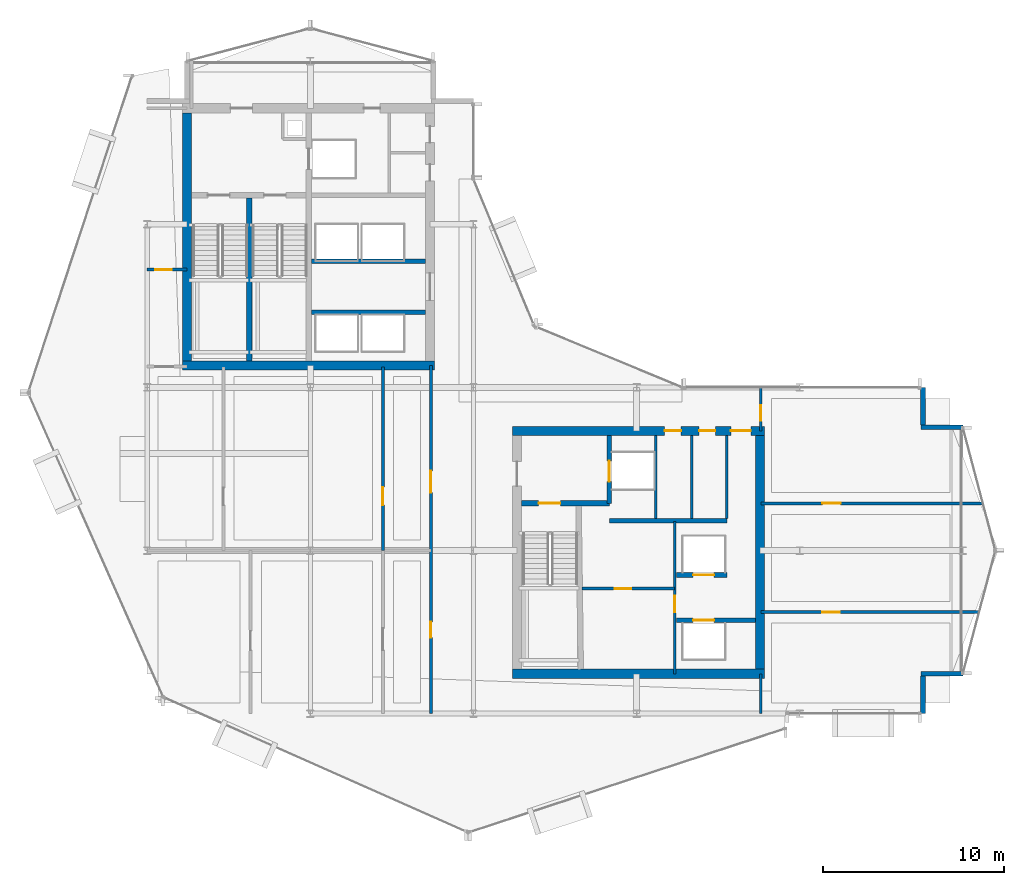
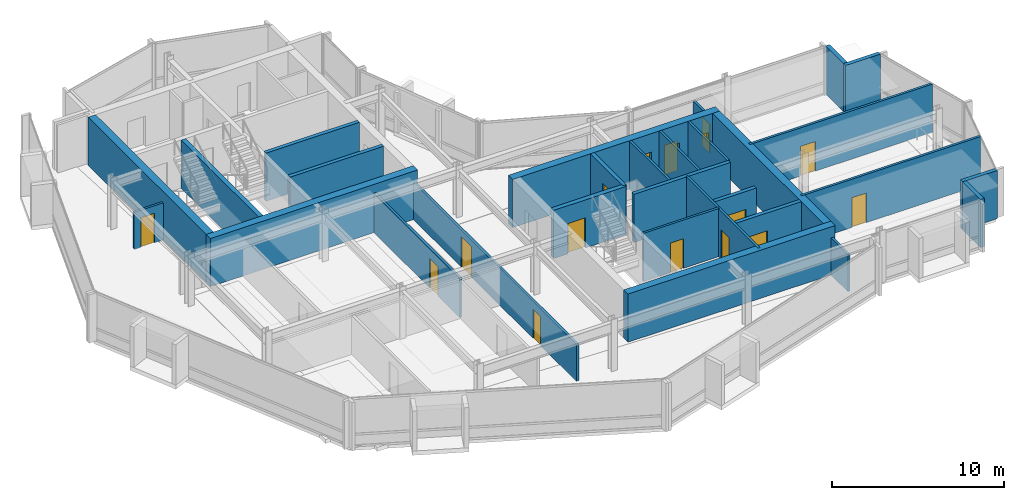
# One storey, part 20 of 27: 29 walls, 16 doors, 16 openings.
"""IFC4 building model written with IfcOpenShell, lengths in metres."""

from ifc_helpers import new_model, si_unit, direction, frame, frame_2d, origin, place, context, subcontext, project, spatial, rectangle, extrude, material, layer, layer_set, type_object, element, fill, save


model = new_model("IFC4")

# Units and contexts
model_context = context("Model", 3, precision=1e-05, world=origin(), true_north=direction((0.0, 1.0)))
body_context = subcontext(model_context, "Body", "Model", "MODEL_VIEW")
ifc_project = project(units=[si_unit("LENGTHUNIT", "METRE"), si_unit("AREAUNIT", "SQUARE_METRE"), si_unit("VOLUMEUNIT", "CUBIC_METRE"), si_unit("PLANEANGLEUNIT", "RADIAN"), si_unit("MASSUNIT", "GRAM", prefix="KILO")], contexts=[model_context])

# Site, building, storey
site_placement = place(None, origin())
site = spatial("IfcSite", under=ifc_project, at=site_placement, CompositionType="ELEMENT")
building_placement = place(site_placement, origin())
building = spatial("IfcBuilding", under=site, at=building_placement, Name="Solvaryn Broadcast Tower", CompositionType="ELEMENT")
storey_placement = place(building_placement, frame((0.0, 0.0, 189.0)))
storey = spatial("IfcBuildingStorey", under=building, at=storey_placement, Name="L47", CompositionType="ELEMENT", Elevation=189.0)

# Walls
ifc_material_1 = material(Name="Concrete f'c 70 MPa", Category="concrete")
ifc_layer_1 = layer(ifc_material_1, 0.5)
ifc_layer_set_1 = layer_set([ifc_layer_1], Name="CW-SHEAR-500")
wall_type_1 = type_object("IfcWallType", Name="CW-SHEAR-500", PredefinedType="SHEAR", material=ifc_layer_set_1)
wall_1_placement = place(storey_placement, frame((10.949951171875, 28.199951171875, 0.0), z_axis=(0.0, 0.0, 1.0), x_axis=(1.0, 0.0, 0.0)))
element("IfcWall", 1, at=wall_1_placement, inside=storey, type_object=wall_type_1, Name="L47 West Core South Shear Wall", PredefinedType="SHEAR", context=body_context, shape_type="SweptSolid", body=[
    extrude(rectangle(XDim=13.900146484375, YDim=0.5, at=frame_2d((6.9501953125, 0.0))), origin(), (0.0, 0.0, 1.0), 3.419921875),
])
wall_2_placement = place(storey_placement, frame((11.199951171875, 42.14990234375, 0.0), z_axis=(0.0, 0.0, 1.0), x_axis=(0.0, -1.0, 0.0)))
element("IfcWall", 2, at=wall_2_placement, inside=storey, type_object=wall_type_1, Name="L47 West Core West Shear Wall", PredefinedType="SHEAR", context=body_context, shape_type="SweptSolid", body=[
    extrude(rectangle(XDim=13.699951171875, YDim=0.5, at=frame_2d((6.85009765625, 0.0))), origin(), (0.0, 0.0, 1.0), 3.419921875),
])
wall_3_placement = place(storey_placement, frame((29.14990234375, 11.199951171875, 0.0), z_axis=(0.0, 0.0, 1.0), x_axis=(1.0, 0.0, 0.0)))
element("IfcWall", 3, at=wall_3_placement, inside=storey, type_object=wall_type_1, Name="L47 East Core South Shear Wall", PredefinedType="SHEAR", context=body_context, shape_type="SweptSolid", body=[
    extrude(rectangle(XDim=13.900146484375, YDim=0.5, at=frame_2d((6.9501953125, 0.0))), origin(), (0.0, 0.0, 1.0), 3.419921875),
])

# Wall, openings, doors
wall_4_placement = place(storey_placement, frame((43.050048828125, 24.60009765625, 0.0), z_axis=(0.0, 0.0, 1.0), x_axis=(-1.0, 0.0, 0.0)))
wall_4 = element("IfcWall", 4, at=wall_4_placement, inside=storey, type_object=wall_type_1, Name="L47 East Core North Shear Wall", PredefinedType="SHEAR", context=body_context, shape_type="SweptSolid", body=[
    extrude(rectangle(XDim=13.900146484375, YDim=0.5, at=frame_2d((6.9501953125, 0.0))), origin(), (0.0, 0.0, 1.0), 3.419921875),
])
opening_1_placement = place(wall_4_placement, frame((0.75, 0.0, 0.0)))
opening_1 = element("IfcOpeningElement", 5, at=opening_1_placement, cuts=wall_4, Name="Opening FD90C", PredefinedType="OPENING", context=body_context, shape_type="SweptSolid", body=[
    extrude(rectangle(XDim=1.10009765625, YDim=2.14990234375, at=frame_2d((0.550048828125, 1.074951171875))), frame((0.0, 0.260009765625, 0.0), z_axis=(0.0, -1.0, 0.0), x_axis=(1.0, 0.0, 0.0)), (0.0, 0.0, 1.0), 0.52001953125),
])
opening_2_placement = place(wall_4_placement, frame((2.699951171875, 0.0, 0.0)))
opening_2 = element("IfcOpeningElement", 6, at=opening_2_placement, cuts=wall_4, Name="Opening FD60C", PredefinedType="OPENING", context=body_context, shape_type="SweptSolid", body=[
    extrude(rectangle(XDim=0.89990234375, YDim=2.10009765625, at=frame_2d((0.449951171875, 1.050048828125))), frame((0.0, 0.260009765625, 0.0), z_axis=(0.0, -1.0, 0.0), x_axis=(1.0, 0.0, 0.0)), (0.0, 0.0, 1.0), 0.52001953125),
])
opening_3_placement = place(wall_4_placement, frame((4.60009765625, 0.0, 0.0)))
opening_3 = element("IfcOpeningElement", 7, at=opening_3_placement, cuts=wall_4, Name="Opening FD60C", PredefinedType="OPENING", context=body_context, shape_type="SweptSolid", body=[
    extrude(rectangle(XDim=0.89990234375, YDim=2.10009765625, at=frame_2d((0.449951171875, 1.050048828125))), frame((0.0, 0.260009765625, 0.0), z_axis=(0.0, -1.0, 0.0), x_axis=(1.0, 0.0, 0.0)), (0.0, 0.0, 1.0), 0.52001953125),
])
ifc_material_2 = material(Name="Flush Acoustic Steel and Timber Door Assembly", Category="steel")
door_type_1 = type_object("IfcDoorType", Name="FD60-SERV-900X2100", OperationType="NOTDEFINED", PredefinedType="DOOR", material=ifc_material_2)
door_1_placement = place(opening_2_placement, origin())
door_1 = element("IfcDoor", 8, at=door_1_placement, inside=storey, type_object=door_type_1, Name="L47 Staff Restroom Door", OperationType="SINGLE_SWING_LEFT", OverallHeight=2.10009765625, OverallWidth=0.89990234375, PredefinedType="DOOR", context=body_context, shape_type="SweptSolid", body=[
    extrude(rectangle(XDim=0.89990234375, YDim=2.10009765625, at=frame_2d((0.449951171875, 1.050048828125))), frame((0.0, 0.02490234375, 0.0), z_axis=(0.0, -1.0, 0.0), x_axis=(1.0, 0.0, 0.0)), (0.0, 0.0, 1.0), 0.050048828125),
])
fill(opening_2, door_1)
door_2_placement = place(opening_3_placement, origin())
door_2 = element("IfcDoor", 9, at=door_2_placement, inside=storey, type_object=door_type_1, Name="L47 Accessible WC Door", OperationType="SINGLE_SWING_RIGHT", OverallHeight=2.10009765625, OverallWidth=0.89990234375, PredefinedType="DOOR", context=body_context, shape_type="SweptSolid", body=[
    extrude(rectangle(XDim=0.89990234375, YDim=2.10009765625, at=frame_2d((0.449951171875, 1.050048828125))), frame((0.0, 0.02490234375, 0.0), z_axis=(0.0, -1.0, 0.0), x_axis=(1.0, 0.0, 0.0)), (0.0, 0.0, 1.0), 0.050048828125),
])
fill(opening_3, door_2)
ifc_material_3 = material(Name="Flush Acoustic Steel and Timber Door Assembly", Category="steel")
door_type_2 = type_object("IfcDoorType", Name="FD90-PLANT-1100X2150", OperationType="NOTDEFINED", PredefinedType="DOOR", material=ifc_material_3)
door_3_placement = place(opening_1_placement, origin())
door_3 = element("IfcDoor", 10, at=door_3_placement, inside=storey, type_object=door_type_2, Name="L47 East Core Lobby Corridor Door", OperationType="SINGLE_SWING_LEFT", OverallHeight=2.14990234375, OverallWidth=1.10009765625, PredefinedType="DOOR", context=body_context, shape_type="SweptSolid", body=[
    extrude(rectangle(XDim=1.10009765625, YDim=2.14990234375, at=frame_2d((0.550048828125, 1.074951171875))), frame((0.0, 0.02490234375, 0.0), z_axis=(0.0, -1.0, 0.0), x_axis=(1.0, 0.0, 0.0)), (0.0, 0.0, 1.0), 0.050048828125),
])
fill(opening_1, door_3)

# Walls
wall_5_placement = place(storey_placement, frame((42.800048828125, 11.449951171875, 0.0), z_axis=(0.0, 0.0, 1.0), x_axis=(0.0, 1.0, 0.0)))
element("IfcWall", 11, at=wall_5_placement, inside=storey, type_object=wall_type_1, Name="L47 East Core East Shear Wall", PredefinedType="SHEAR", context=body_context, shape_type="SweptSolid", body=[
    extrude(rectangle(XDim=12.900146484375, YDim=0.5, at=frame_2d((6.4501953125, 0.0))), origin(), (0.0, 0.0, 1.0), 3.419921875),
])
ifc_material_4 = material(Name="Concrete f'c 50 MPa", Category="concrete")
ifc_layer_2 = layer(ifc_material_4, 0.260009765625)
ifc_layer_set_2 = layer_set([ifc_layer_2], Name="EW-PIER-260")
wall_type_2 = type_object("IfcWallType", Name="EW-PIER-260", PredefinedType="SOLIDWALL", material=ifc_layer_set_2)
wall_6_placement = place(storey_placement, frame((51.800048828125, 9.0, 0.0), z_axis=(0.0, 0.0, 1.0), x_axis=(0.0, 1.0, 0.0)))
element("IfcWall", 12, at=wall_6_placement, inside=storey, type_object=wall_type_2, Name="L47 Notched Corner Pier Wall NSE1", PredefinedType="SOLIDWALL", context=body_context, shape_type="SweptSolid", body=[
    extrude(rectangle(XDim=2.080078125, YDim=0.260009765625, at=frame_2d((1.0400390625, 0.0))), origin(), (0.0, 0.0, 1.0), 3.419921875),
])
for number, where, z_axis, x_axis, name in (
    (13, (51.679931640625, 11.199951171875, 0.0), (0.0, 0.0, 1.0), (1.0, 0.0, 0.0), "L47 Notched Corner Pier Wall NSE2"),
    (14, (54.0, 24.800048828125, 0.0), (0.0, 0.0, 1.0), (-1.0, 0.0, 0.0), "L47 Notched Corner Pier Wall NEE1"),
):
    element("IfcWall", number, at=place(storey_placement, frame(where, z_axis=z_axis, x_axis=x_axis)), inside=storey, type_object=wall_type_2, Name=name, PredefinedType="SOLIDWALL", context=body_context, shape_type="SweptSolid", body=[
        extrude(rectangle(XDim=2.320068359375, YDim=0.260009765625, at=frame_2d((1.16015625, 0.0))), origin(), (0.0, 0.0, 1.0), 3.419921875),
    ])
wall_7_placement = place(storey_placement, frame((51.800048828125, 24.919921875, 0.0), z_axis=(0.0, 0.0, 1.0), x_axis=(0.0, 1.0, 0.0)))
element("IfcWall", 15, at=wall_7_placement, inside=storey, type_object=wall_type_2, Name="L47 Notched Corner Pier Wall NEE2", PredefinedType="SOLIDWALL", context=body_context, shape_type="SweptSolid", body=[
    extrude(rectangle(XDim=2.080078125, YDim=0.260009765625, at=frame_2d((1.0400390625, 0.0))), origin(), (0.0, 0.0, 1.0), 3.419921875),
])

# Wall, opening, door
ifc_material_5 = material(Name="Metal-Stud Service Core Partition")
ifc_layer_3 = layer(ifc_material_5, 0.14990234375)
ifc_layer_set_3 = layer_set([ifc_layer_3], Name="IW-PART-150")
wall_type_3 = type_object("IfcWallType", Name="IW-PART-150", PredefinedType="PARTITIONING", material=ifc_layer_set_3)
wall_8_placement = place(storey_placement, frame((33.0, 15.89990234375, 0.0), z_axis=(0.0, 0.0, 1.0), x_axis=(1.0, 0.0, 0.0)))
wall_8 = element("IfcWall", 16, at=wall_8_placement, inside=storey, type_object=wall_type_3, Name="L47 Interior Partition IW-L47-RPL-H", PredefinedType="PARTITIONING", context=body_context, shape_type="SweptSolid", body=[
    extrude(rectangle(XDim=5.10009765625, YDim=0.14990234375, at=frame_2d((2.550048828125, 0.0))), origin(), (0.0, 0.0, 1.0), 3.419921875),
])
opening_4_placement = place(wall_8_placement, frame((1.800048828125, 0.0, 0.0)))
opening_4 = element("IfcOpeningElement", 17, at=opening_4_placement, cuts=wall_8, Name="Opening FD60C", PredefinedType="OPENING", context=body_context, shape_type="SweptSolid", body=[
    extrude(rectangle(XDim=0.89990234375, YDim=2.10009765625, at=frame_2d((0.449951171875, 1.050048828125))), frame((0.0, 0.0849609375, 0.0), z_axis=(0.0, -1.0, 0.0), x_axis=(1.0, 0.0, 0.0)), (0.0, 0.0, 1.0), 0.169921875),
])
door_4_placement = place(opening_4_placement, origin())
door_4 = element("IfcDoor", 18, at=door_4_placement, inside=storey, type_object=door_type_1, Name="L47 Door DR-L47-RPL1", OperationType="SINGLE_SWING_LEFT", OverallHeight=2.10009765625, OverallWidth=0.89990234375, PredefinedType="DOOR", context=body_context, shape_type="SweptSolid", body=[
    extrude(rectangle(XDim=0.89990234375, YDim=2.10009765625, at=frame_2d((0.449951171875, 1.050048828125))), frame((0.0, 0.02490234375, 0.0), z_axis=(0.0, -1.0, 0.0), x_axis=(1.0, 0.0, 0.0)), (0.0, 0.0, 1.0), 0.050048828125),
])
fill(opening_4, door_4)

wall_9_placement = place(storey_placement, frame((38.10009765625, 11.199951171875, 0.0), z_axis=(0.0, 0.0, 1.0), x_axis=(0.0, 1.0, 0.0)))
wall_9 = element("IfcWall", 19, at=wall_9_placement, inside=storey, type_object=wall_type_3, Name="L47 Interior Partition IW-L47-RPL-E", PredefinedType="PARTITIONING", context=body_context, shape_type="SweptSolid", body=[
    extrude(rectangle(XDim=8.400146484375, YDim=0.14990234375, at=frame_2d((4.2001953125, 0.0))), origin(), (0.0, 0.0, 1.0), 3.419921875),
])
opening_5_placement = place(wall_9_placement, frame((3.39990234375, 0.0, 0.0)))
opening_5 = element("IfcOpeningElement", 20, at=opening_5_placement, cuts=wall_9, Name="Opening FD60C", PredefinedType="OPENING", context=body_context, shape_type="SweptSolid", body=[
    extrude(rectangle(XDim=0.89990234375, YDim=2.10009765625, at=frame_2d((0.449951171875, 1.050048828125))), frame((0.0, 0.0849609375, 0.0), z_axis=(0.0, -1.0, 0.0), x_axis=(1.0, 0.0, 0.0)), (0.0, 0.0, 1.0), 0.169921875),
])
door_5_placement = place(opening_5_placement, origin())
door_5 = element("IfcDoor", 21, at=door_5_placement, inside=storey, type_object=door_type_1, Name="L47 Door DR-L47-RPL2", OperationType="SINGLE_SWING_RIGHT", OverallHeight=2.10009765625, OverallWidth=0.89990234375, PredefinedType="DOOR", context=body_context, shape_type="SweptSolid", body=[
    extrude(rectangle(XDim=0.89990234375, YDim=2.10009765625, at=frame_2d((0.449951171875, 1.050048828125))), frame((0.0, 0.02490234375, 0.0), z_axis=(0.0, -1.0, 0.0), x_axis=(1.0, 0.0, 0.0)), (0.0, 0.0, 1.0), 0.050048828125),
])
fill(opening_5, door_5)

# Walls
for number, where, z_axis, x_axis, name in (
    (22, (37.050048828125, 19.780029296875, 0.0), (0.0, 0.0, 1.0), (0.0, 1.0, 0.0), "L47 Interior Partition IW-L47-CE-FL2E"),
    (23, (39.050048828125, 19.780029296875, 0.0), (0.0, 0.0, 1.0), (0.0, 1.0, 0.0), "L47 Interior Partition IW-L47-CE-V1"),
    (24, (40.97998046875, 19.780029296875, 0.0), (0.0, 0.0, 1.0), (0.0, 1.0, 0.0), "L47 Interior Partition IW-L47-CE-V3"),
):
    element("IfcWall", number, at=place(storey_placement, frame(where, z_axis=z_axis, x_axis=x_axis)), inside=storey, type_object=wall_type_3, Name=name, PredefinedType="PARTITIONING", context=body_context, shape_type="SweptSolid", body=[
        extrude(rectangle(XDim=4.570068359375, YDim=0.14990234375, at=frame_2d((2.28515625, 0.0))), origin(), (0.0, 0.0, 1.0), 3.419921875),
    ])

# Wall, opening, door
wall_10_placement = place(storey_placement, frame((9.0, 33.5, 0.0), z_axis=(0.0, 0.0, 1.0), x_axis=(1.0, 0.0, 0.0)))
wall_10 = element("IfcWall", 25, at=wall_10_placement, inside=storey, type_object=wall_type_3, Name="L47 Interior Partition IW-L47-WM-M", PredefinedType="PARTITIONING", context=body_context, shape_type="SweptSolid", body=[
    extrude(rectangle(XDim=2.199951171875, YDim=0.14990234375, at=frame_2d((1.10009765625, 0.0))), origin(), (0.0, 0.0, 1.0), 2.634033203125),
])
opening_6_placement = place(wall_10_placement, frame((0.449951171875, 0.0, 0.0)))
opening_6 = element("IfcOpeningElement", 26, at=opening_6_placement, cuts=wall_10, Name="Opening FD60C", PredefinedType="OPENING", context=body_context, shape_type="SweptSolid", body=[
    extrude(rectangle(XDim=0.89990234375, YDim=2.10009765625, at=frame_2d((0.449951171875, 1.050048828125))), frame((0.0, 0.0849609375, 0.0), z_axis=(0.0, -1.0, 0.0), x_axis=(1.0, 0.0, 0.0)), (0.0, 0.0, 1.0), 0.169921875),
])
door_6_placement = place(opening_6_placement, origin())
door_6 = element("IfcDoor", 27, at=door_6_placement, inside=storey, type_object=door_type_1, Name="L47 Door DR-L47-WM1", OperationType="SINGLE_SWING_LEFT", OverallHeight=2.10009765625, OverallWidth=0.89990234375, PredefinedType="DOOR", context=body_context, shape_type="SweptSolid", body=[
    extrude(rectangle(XDim=0.89990234375, YDim=2.10009765625, at=frame_2d((0.449951171875, 1.050048828125))), frame((0.0, 0.02490234375, 0.0), z_axis=(0.0, -1.0, 0.0), x_axis=(1.0, 0.0, 0.0)), (0.0, 0.0, 1.0), 0.050048828125),
])
fill(opening_6, door_6)

# Wall, openings, doors
ifc_material_6 = material(Name="Metal-Stud Gypsum Office Partition")
ifc_layer_4 = layer(ifc_material_6, 0.159912109375)
ifc_layer_set_4 = layer_set([ifc_layer_4], Name="IW-PART-160")
wall_type_4 = type_object("IfcWallType", Name="IW-PART-160", PredefinedType="PARTITIONING", material=ifc_layer_set_4)
wall_11_placement = place(storey_placement, frame((24.64990234375, 9.0, 0.0), z_axis=(0.0, 0.0, 1.0), x_axis=(0.0, 1.0, 0.0)))
wall_11 = element("IfcWall", 28, at=wall_11_placement, inside=storey, type_object=wall_type_4, Name="L47 Interior Partition IW-L47-SW-EB", PredefinedType="PARTITIONING", context=body_context, shape_type="SweptSolid", body=[
    extrude(rectangle(XDim=19.199951171875, YDim=0.159912109375, at=frame_2d((9.60009765625, 0.0))), origin(), (0.0, 0.0, 1.0), 2.634033203125),
])
opening_7_placement = place(wall_11_placement, frame((12.199951171875, 0.0, 0.0)))
opening_7 = element("IfcOpeningElement", 29, at=opening_7_placement, cuts=wall_11, Name="Opening ID04", PredefinedType="OPENING", context=body_context, shape_type="SweptSolid", body=[
    extrude(rectangle(XDim=1.199951171875, YDim=2.14990234375, at=frame_2d((0.60009765625, 1.074951171875))), frame((0.0, 0.090087890625, 0.0), z_axis=(0.0, -1.0, 0.0), x_axis=(1.0, 0.0, 0.0)), (0.0, 0.0, 1.0), 0.179931640625),
])
opening_8_placement = place(wall_11_placement, frame((4.199951171875, 0.0, 0.0)))
opening_8 = element("IfcOpeningElement", 30, at=opening_8_placement, cuts=wall_11, Name="Opening ID07", PredefinedType="OPENING", context=body_context, shape_type="SweptSolid", body=[
    extrude(rectangle(XDim=0.860107421875, YDim=2.050048828125, at=frame_2d((0.43017578125, 1.02490234375))), frame((0.0, 0.090087890625, 0.0), z_axis=(0.0, -1.0, 0.0), x_axis=(1.0, 0.0, 0.0)), (0.0, 0.0, 1.0), 0.179931640625),
])
ifc_material_7 = material(Name="Flush Acoustic Steel and Timber Door Assembly", Category="steel")
door_type_3 = type_object("IfcDoorType", Name="ID-04-1200X2150", OperationType="NOTDEFINED", PredefinedType="DOOR", material=ifc_material_7)
door_7_placement = place(opening_7_placement, origin())
door_7 = element("IfcDoor", 31, at=door_7_placement, inside=storey, type_object=door_type_3, Name="L47 Door DR-L47-SW-EN", OperationType="SINGLE_SWING_RIGHT", OverallHeight=2.14990234375, OverallWidth=1.199951171875, PredefinedType="DOOR", context=body_context, shape_type="SweptSolid", body=[
    extrude(rectangle(XDim=1.199951171875, YDim=2.14990234375, at=frame_2d((0.60009765625, 1.074951171875))), frame((0.0, 0.02490234375, 0.0), z_axis=(0.0, -1.0, 0.0), x_axis=(1.0, 0.0, 0.0)), (0.0, 0.0, 1.0), 0.050048828125),
])
fill(opening_7, door_7)
ifc_material_8 = material(Name="Flush Acoustic Steel and Timber Door Assembly", Category="steel")
door_type_4 = type_object("IfcDoorType", Name="ID-07-860X2050", OperationType="NOTDEFINED", PredefinedType="DOOR", material=ifc_material_8)
door_8_placement = place(opening_8_placement, origin())
door_8 = element("IfcDoor", 32, at=door_8_placement, inside=storey, type_object=door_type_4, Name="L47 Door DR-L47-SW-ES", OperationType="SINGLE_SWING_LEFT", OverallHeight=2.050048828125, OverallWidth=0.860107421875, PredefinedType="DOOR", context=body_context, shape_type="SweptSolid", body=[
    extrude(rectangle(XDim=0.860107421875, YDim=2.050048828125, at=frame_2d((0.43017578125, 1.02490234375))), frame((0.0, 0.02490234375, 0.0), z_axis=(0.0, -1.0, 0.0), x_axis=(1.0, 0.0, 0.0)), (0.0, 0.0, 1.0), 0.050048828125),
])
fill(opening_8, door_8)

# Wall, opening, door
wall_12_placement = place(storey_placement, frame((22.0, 18.0, 0.0), z_axis=(0.0, 0.0, 1.0), x_axis=(0.0, 1.0, 0.0)))
wall_12 = element("IfcWall", 33, at=wall_12_placement, inside=storey, type_object=wall_type_4, Name="L47 Interior Partition IW-L47-SWN-V2", PredefinedType="PARTITIONING", context=body_context, shape_type="SweptSolid", body=[
    extrude(rectangle(XDim=10.1298828125, YDim=0.159912109375, at=frame_2d((5.06494140625, 0.0))), origin(), (0.0, 0.0, 1.0), 2.7890625),
])
opening_9_placement = place(wall_12_placement, frame((2.5, 0.0, 0.0)))
opening_9 = element("IfcOpeningElement", 34, at=opening_9_placement, cuts=wall_12, Name="Opening ID02", PredefinedType="OPENING", context=body_context, shape_type="SweptSolid", body=[
    extrude(rectangle(XDim=1.0, YDim=2.10009765625, at=frame_2d((0.5, 1.050048828125))), frame((0.0, 0.090087890625, 0.0), z_axis=(0.0, -1.0, 0.0), x_axis=(1.0, 0.0, 0.0)), (0.0, 0.0, 1.0), 0.179931640625),
])
ifc_material_9 = material(Name="Flush Acoustic Steel and Timber Door Assembly", Category="steel")
door_type_5 = type_object("IfcDoorType", Name="ID-02-1000X2100", OperationType="NOTDEFINED", PredefinedType="DOOR", material=ifc_material_9)
door_9_placement = place(opening_9_placement, origin())
door_9 = element("IfcDoor", 35, at=door_9_placement, inside=storey, type_object=door_type_5, Name="L47 Door DR-L47-SWN-2", OperationType="SINGLE_SWING_LEFT", OverallHeight=2.10009765625, OverallWidth=1.0, PredefinedType="DOOR", context=body_context, shape_type="SweptSolid", body=[
    extrude(rectangle(XDim=1.0, YDim=2.10009765625, at=frame_2d((0.5, 1.050048828125))), frame((0.0, 0.02490234375, 0.0), z_axis=(0.0, -1.0, 0.0), x_axis=(1.0, 0.0, 0.0)), (0.0, 0.0, 1.0), 0.050048828125),
])
fill(opening_9, door_9)

# Wall
wall_13_placement = place(storey_placement, frame((42.85009765625, 9.0, 0.0), z_axis=(0.0, 0.0, 1.0), x_axis=(0.0, 1.0, 0.0)))
element("IfcWall", 36, at=wall_13_placement, inside=storey, type_object=wall_type_4, Name="L47 Interior Partition IW-L47-SC-E", PredefinedType="PARTITIONING", context=body_context, shape_type="SweptSolid", body=[
    extrude(rectangle(XDim=2.199951171875, YDim=0.159912109375, at=frame_2d((1.10009765625, 0.0))), origin(), (0.0, 0.0, 1.0), 2.634033203125),
])

# Wall, opening, door
wall_14_placement = place(storey_placement, frame((42.85009765625, 24.60009765625, 0.0), z_axis=(0.0, 0.0, 1.0), x_axis=(0.0, 1.0, 0.0)))
wall_14 = element("IfcWall", 37, at=wall_14_placement, inside=storey, type_object=wall_type_4, Name="L47 Interior Partition IW-L47-EW-BN", PredefinedType="PARTITIONING", context=body_context, shape_type="SweptSolid", body=[
    extrude(rectangle(XDim=2.39990234375, YDim=0.159912109375, at=frame_2d((1.199951171875, 0.0))), origin(), (0.0, 0.0, 1.0), 2.634033203125),
])
opening_10_placement = place(wall_14_placement, frame((0.550048828125, 0.0, 0.0)))
opening_10 = element("IfcOpeningElement", 38, at=opening_10_placement, cuts=wall_14, Name="Opening ID07", PredefinedType="OPENING", context=body_context, shape_type="SweptSolid", body=[
    extrude(rectangle(XDim=0.860107421875, YDim=2.050048828125, at=frame_2d((0.43017578125, 1.02490234375))), frame((0.0, 0.090087890625, 0.0), z_axis=(0.0, -1.0, 0.0), x_axis=(1.0, 0.0, 0.0)), (0.0, 0.0, 1.0), 0.179931640625),
])
door_10_placement = place(opening_10_placement, origin())
door_10 = element("IfcDoor", 39, at=door_10_placement, inside=storey, type_object=door_type_4, Name="L47 Door DR-L47-EW0", OperationType="SINGLE_SWING_RIGHT", OverallHeight=2.050048828125, OverallWidth=0.860107421875, PredefinedType="DOOR", context=body_context, shape_type="SweptSolid", body=[
    extrude(rectangle(XDim=0.860107421875, YDim=2.050048828125, at=frame_2d((0.43017578125, 1.02490234375))), frame((0.0, 0.02490234375, 0.0), z_axis=(0.0, -1.0, 0.0), x_axis=(1.0, 0.0, 0.0)), (0.0, 0.0, 1.0), 0.050048828125),
])
fill(opening_10, door_10)

wall_15_placement = place(storey_placement, frame((42.85009765625, 14.60009765625, 0.0), z_axis=(0.0, 0.0, 1.0), x_axis=(1.0, 0.0, 0.0)))
wall_15 = element("IfcWall", 40, at=wall_15_placement, inside=storey, type_object=wall_type_4, Name="L47 Interior Partition IW-L47-EW-H1", PredefinedType="PARTITIONING", context=body_context, shape_type="SweptSolid", body=[
    extrude(rectangle(XDim=12.0498046875, YDim=0.159912109375, at=frame_2d((6.02490234375, 0.0))), origin(), (0.0, 0.0, 1.0), 3.419921875),
])
opening_11_placement = place(wall_15_placement, frame((3.39990234375, 0.0, 0.0)))
opening_11 = element("IfcOpeningElement", 41, at=opening_11_placement, cuts=wall_15, Name="Opening ID01", PredefinedType="OPENING", context=body_context, shape_type="SweptSolid", body=[
    extrude(rectangle(XDim=0.949951171875, YDim=2.10009765625, at=frame_2d((0.47509765625, 1.050048828125))), frame((0.0, 0.090087890625, 0.0), z_axis=(0.0, -1.0, 0.0), x_axis=(1.0, 0.0, 0.0)), (0.0, 0.0, 1.0), 0.179931640625),
])
ifc_material_10 = material(Name="Flush Acoustic Steel and Timber Door Assembly", Category="steel")
door_type_6 = type_object("IfcDoorType", Name="ID-01-950X2100", OperationType="NOTDEFINED", PredefinedType="DOOR", material=ifc_material_10)
door_11_placement = place(opening_11_placement, origin())
door_11 = element("IfcDoor", 42, at=door_11_placement, inside=storey, type_object=door_type_6, Name="L47 Door DR-L47-EW-1", OperationType="SINGLE_SWING_LEFT", OverallHeight=2.10009765625, OverallWidth=0.949951171875, PredefinedType="DOOR", context=body_context, shape_type="SweptSolid", body=[
    extrude(rectangle(XDim=0.949951171875, YDim=2.10009765625, at=frame_2d((0.47509765625, 1.050048828125))), frame((0.0, 0.02490234375, 0.0), z_axis=(0.0, -1.0, 0.0), x_axis=(1.0, 0.0, 0.0)), (0.0, 0.0, 1.0), 0.050048828125),
])
fill(opening_11, door_11)

wall_16_placement = place(storey_placement, frame((42.85009765625, 20.60009765625, 0.0), z_axis=(0.0, 0.0, 1.0), x_axis=(1.0, 0.0, 0.0)))
wall_16 = element("IfcWall", 43, at=wall_16_placement, inside=storey, type_object=wall_type_4, Name="L47 Interior Partition IW-L47-EW-H2", PredefinedType="PARTITIONING", context=body_context, shape_type="SweptSolid", body=[
    extrude(rectangle(XDim=12.261962890625, YDim=0.159912109375, at=frame_2d((6.130859375, 0.0))), origin(), (0.0, 0.0, 1.0), 3.419921875),
])
opening_12_placement = place(wall_16_placement, frame((3.39990234375, 0.0, 0.0)))
opening_12 = element("IfcOpeningElement", 44, at=opening_12_placement, cuts=wall_16, Name="Opening ID02", PredefinedType="OPENING", context=body_context, shape_type="SweptSolid", body=[
    extrude(rectangle(XDim=1.0, YDim=2.10009765625, at=frame_2d((0.5, 1.050048828125))), frame((0.0, 0.090087890625, 0.0), z_axis=(0.0, -1.0, 0.0), x_axis=(1.0, 0.0, 0.0)), (0.0, 0.0, 1.0), 0.179931640625),
])
door_12_placement = place(opening_12_placement, origin())
door_12 = element("IfcDoor", 45, at=door_12_placement, inside=storey, type_object=door_type_5, Name="L47 Door DR-L47-EW-2", OperationType="SINGLE_SWING_RIGHT", OverallHeight=2.10009765625, OverallWidth=1.0, PredefinedType="DOOR", context=body_context, shape_type="SweptSolid", body=[
    extrude(rectangle(XDim=1.0, YDim=2.10009765625, at=frame_2d((0.5, 1.050048828125))), frame((0.0, 0.02490234375, 0.0), z_axis=(0.0, -1.0, 0.0), x_axis=(1.0, 0.0, 0.0)), (0.0, 0.0, 1.0), 0.050048828125),
])
fill(opening_12, door_12)

# Walls
ifc_material_11 = material(Name="Concrete f'c 60 MPa", Category="concrete")
ifc_layer_5 = layer(ifc_material_11, 0.25)
ifc_layer_set_5 = layer_set([ifc_layer_5], Name="SW-SHAFT-250")
wall_type_5 = type_object("IfcWallType", Name="SW-SHAFT-250", PredefinedType="PARTITIONING", material=ifc_layer_set_5)
for number, where, z_axis, x_axis, name in (
    (46, (18.070068359375, 31.14990234375, 0.0), (0.0, 0.0, 1.0), (1.0, 0.0, 0.0), "L47 High-Rise Lift Bank South Wall"),
    (47, (24.35009765625, 33.949951171875, 0.0), (0.0, 0.0, 1.0), (-1.0, 0.0, 0.0), "L47 High-Rise Lift Bank North Wall"),
):
    element("IfcWall", number, at=place(storey_placement, frame(where, z_axis=z_axis, x_axis=x_axis)), inside=storey, type_object=wall_type_5, Name=name, PredefinedType="PARTITIONING", context=body_context, shape_type="SweptSolid", body=[
        extrude(rectangle(XDim=6.280029296875, YDim=0.25, at=frame_2d((3.14013671875, 0.0))), origin(), (0.0, 0.0, 1.0), 3.419921875),
    ])

# Wall, opening, door
wall_17_placement = place(storey_placement, frame((34.5, 20.60009765625, 0.0), z_axis=(0.0, 0.0, 1.0), x_axis=(0.0, 1.0, 0.0)))
wall_17 = element("IfcWall", 48, at=wall_17_placement, inside=storey, type_object=wall_type_5, Name="L47 East FSAE Lobby East Wall", PredefinedType="PARTITIONING", context=body_context, shape_type="SweptSolid", body=[
    extrude(rectangle(XDim=3.75, YDim=0.25, at=frame_2d((1.875, 0.0))), origin(), (0.0, 0.0, 1.0), 3.419921875),
])
opening_13_placement = place(wall_17_placement, frame((1.199951171875, 0.0, 0.0)))
opening_13 = element("IfcOpeningElement", 49, at=opening_13_placement, cuts=wall_17, Name="Opening LD01", PredefinedType="OPENING", context=body_context, shape_type="SweptSolid", body=[
    extrude(rectangle(XDim=1.14990234375, YDim=2.14990234375, at=frame_2d((0.574951171875, 1.074951171875))), frame((0.0, 0.135009765625, 0.0), z_axis=(0.0, -1.0, 0.0), x_axis=(1.0, 0.0, 0.0)), (0.0, 0.0, 1.0), 0.27001953125),
])
ifc_material_12 = material(Name="Flush Acoustic Steel and Timber Door Assembly", Category="steel")
door_type_7 = type_object("IfcDoorType", Name="LD-LIFT-1150X2150", OperationType="NOTDEFINED", PredefinedType="DOOR", material=ifc_material_12)
door_13_placement = place(opening_13_placement, origin())
door_13 = element("IfcDoor", 50, at=door_13_placement, inside=storey, type_object=door_type_7, Name="L47 FL2 Lift Landing Door", OperationType="DOUBLE_DOOR_SLIDING", OverallHeight=2.14990234375, OverallWidth=1.14990234375, PredefinedType="DOOR", context=body_context, shape_type="SweptSolid", body=[
    extrude(rectangle(XDim=1.14990234375, YDim=2.14990234375, at=frame_2d((0.574951171875, 1.074951171875))), frame((0.0, 0.02490234375, 0.0), z_axis=(0.0, -1.0, 0.0), x_axis=(1.0, 0.0, 0.0)), (0.0, 0.0, 1.0), 0.050048828125),
])
fill(opening_13, door_13)

# Wall
wall_18_placement = place(storey_placement, frame((34.5, 19.64990234375, 0.0), z_axis=(0.0, 0.0, 1.0), x_axis=(1.0, 0.0, 0.0)))
element("IfcWall", 51, at=wall_18_placement, inside=storey, type_object=wall_type_5, Name="L47 East Core Restroom South Wall", PredefinedType="PARTITIONING", context=body_context, shape_type="SweptSolid", body=[
    extrude(rectangle(XDim=6.47998046875, YDim=0.25, at=frame_2d((3.239990234375, 0.0))), origin(), (0.0, 0.0, 1.0), 3.419921875),
])

# Wall, opening, door
wall_19_placement = place(storey_placement, frame((38.199951171875, 14.14990234375, 0.0), z_axis=(0.0, 0.0, 1.0), x_axis=(1.0, 0.0, 0.0)))
wall_19 = element("IfcWall", 52, at=wall_19_placement, inside=storey, type_object=wall_type_5, Name="L47 East Lift Bank South Wall", PredefinedType="PARTITIONING", context=body_context, shape_type="SweptSolid", body=[
    extrude(rectangle(XDim=4.35009765625, YDim=0.25, at=frame_2d((2.175048828125, 0.0))), origin(), (0.0, 0.0, 1.0), 3.419921875),
])
opening_14_placement = place(wall_19_placement, frame((0.925048828125, 0.0, 0.0)))
opening_14 = element("IfcOpeningElement", 53, at=opening_14_placement, cuts=wall_19, Name="Opening LD01", PredefinedType="OPENING", context=body_context, shape_type="SweptSolid", body=[
    extrude(rectangle(XDim=1.14990234375, YDim=2.14990234375, at=frame_2d((0.574951171875, 1.074951171875))), frame((0.0, 0.135009765625, 0.0), z_axis=(0.0, -1.0, 0.0), x_axis=(1.0, 0.0, 0.0)), (0.0, 0.0, 1.0), 0.27001953125),
])
door_14_placement = place(opening_14_placement, origin())
door_14 = element("IfcDoor", 54, at=door_14_placement, inside=storey, type_object=door_type_7, Name="L47 PM1 Lift Landing Door", OperationType="DOUBLE_DOOR_SLIDING", OverallHeight=2.14990234375, OverallWidth=1.14990234375, PredefinedType="DOOR", context=body_context, shape_type="SweptSolid", body=[
    extrude(rectangle(XDim=1.14990234375, YDim=2.14990234375, at=frame_2d((0.574951171875, 1.074951171875))), frame((0.0, 0.02490234375, 0.0), z_axis=(0.0, -1.0, 0.0), x_axis=(1.0, 0.0, 0.0)), (0.0, 0.0, 1.0), 0.050048828125),
])
fill(opening_14, door_14)

wall_20_placement = place(storey_placement, frame((40.97998046875, 16.64990234375, 0.0), z_axis=(0.0, 0.0, 1.0), x_axis=(-1.0, 0.0, 0.0)))
wall_20 = element("IfcWall", 55, at=wall_20_placement, inside=storey, type_object=wall_type_5, Name="L47 East Lift Bank North Wall", PredefinedType="PARTITIONING", context=body_context, shape_type="SweptSolid", body=[
    extrude(rectangle(XDim=2.780029296875, YDim=0.25, at=frame_2d((1.39013671875, 0.0))), origin(), (0.0, 0.0, 1.0), 3.419921875),
])
opening_15_placement = place(wall_20_placement, frame((0.705078125, 0.0, 0.0)))
opening_15 = element("IfcOpeningElement", 56, at=opening_15_placement, cuts=wall_20, Name="Opening LD01", PredefinedType="OPENING", context=body_context, shape_type="SweptSolid", body=[
    extrude(rectangle(XDim=1.14990234375, YDim=2.14990234375, at=frame_2d((0.574951171875, 1.074951171875))), frame((0.0, 0.135009765625, 0.0), z_axis=(0.0, -1.0, 0.0), x_axis=(1.0, 0.0, 0.0)), (0.0, 0.0, 1.0), 0.27001953125),
])
door_15_placement = place(opening_15_placement, origin())
door_15 = element("IfcDoor", 57, at=door_15_placement, inside=storey, type_object=door_type_7, Name="L47 PM2 Lift Landing Door", OperationType="DOUBLE_DOOR_SLIDING", OverallHeight=2.14990234375, OverallWidth=1.14990234375, PredefinedType="DOOR", context=body_context, shape_type="SweptSolid", body=[
    extrude(rectangle(XDim=1.14990234375, YDim=2.14990234375, at=frame_2d((0.574951171875, 1.074951171875))), frame((0.0, 0.02490234375, 0.0), z_axis=(0.0, -1.0, 0.0), x_axis=(1.0, 0.0, 0.0)), (0.0, 0.0, 1.0), 0.050048828125),
])
fill(opening_15, door_15)

# Wall
ifc_material_13 = material(Name="Concrete f'c 70 MPa", Category="concrete")
ifc_layer_6 = layer(ifc_material_13, 0.300048828125)
ifc_layer_set_6 = layer_set([ifc_layer_6], Name="SW-SHAFT-300")
wall_type_6 = type_object("IfcWallType", Name="SW-SHAFT-300", PredefinedType="SHEAR", material=ifc_layer_set_6)
wall_21_placement = place(storey_placement, frame((14.6201171875, 28.449951171875, 0.0), z_axis=(0.0, 0.0, 1.0), x_axis=(0.0, 1.0, 0.0)))
element("IfcWall", 58, at=wall_21_placement, inside=storey, type_object=wall_type_6, Name="L47 Stair 1-2 Dividing Wall", PredefinedType="SHEAR", context=body_context, shape_type="SweptSolid", body=[
    extrude(rectangle(XDim=9.0, YDim=0.300048828125, at=frame_2d((4.5, 0.0))), origin(), (0.0, 0.0, 1.0), 3.419921875),
])

# Wall, opening, door
wall_22_placement = place(storey_placement, frame((34.5, 20.60009765625, 0.0), z_axis=(0.0, 0.0, 1.0), x_axis=(-1.0, 0.0, 0.0)))
wall_22 = element("IfcWall", 59, at=wall_22_placement, inside=storey, type_object=wall_type_6, Name="L47 East FSAE Lobby South Wall", PredefinedType="SHEAR", context=body_context, shape_type="SweptSolid", body=[
    extrude(rectangle(XDim=4.85009765625, YDim=0.300048828125, at=frame_2d((2.425048828125, 0.0))), origin(), (0.0, 0.0, 1.0), 3.419921875),
])
opening_16_placement = place(wall_22_placement, frame((2.699951171875, 0.0, 0.0)))
opening_16 = element("IfcOpeningElement", 60, at=opening_16_placement, cuts=wall_22, Name="Opening FD90A", PredefinedType="OPENING", context=body_context, shape_type="SweptSolid", body=[
    extrude(rectangle(XDim=1.199951171875, YDim=2.14990234375, at=frame_2d((0.60009765625, 1.074951171875))), frame((0.0, 0.159912109375, 0.0), z_axis=(0.0, -1.0, 0.0), x_axis=(1.0, 0.0, 0.0)), (0.0, 0.0, 1.0), 0.320068359375),
])
ifc_material_14 = material(Name="Flush Acoustic Steel and Timber Door Assembly", Category="steel")
door_type_8 = type_object("IfcDoorType", Name="FD90-STAIR-1200X2150", OperationType="NOTDEFINED", PredefinedType="DOOR", material=ifc_material_14)
door_16_placement = place(opening_16_placement, origin())
door_16 = element("IfcDoor", 61, at=door_16_placement, inside=storey, type_object=door_type_8, Name="L47 Stair 3 Fire Door", OperationType="SINGLE_SWING_LEFT", OverallHeight=2.14990234375, OverallWidth=1.199951171875, PredefinedType="DOOR", context=body_context, shape_type="SweptSolid", body=[
    extrude(rectangle(XDim=1.199951171875, YDim=2.14990234375, at=frame_2d((0.60009765625, 1.074951171875))), frame((0.0, 0.02490234375, 0.0), z_axis=(0.0, -1.0, 0.0), x_axis=(1.0, 0.0, 0.0)), (0.0, 0.0, 1.0), 0.050048828125),
])
fill(opening_16, door_16)

save(model, "model.ifc")
